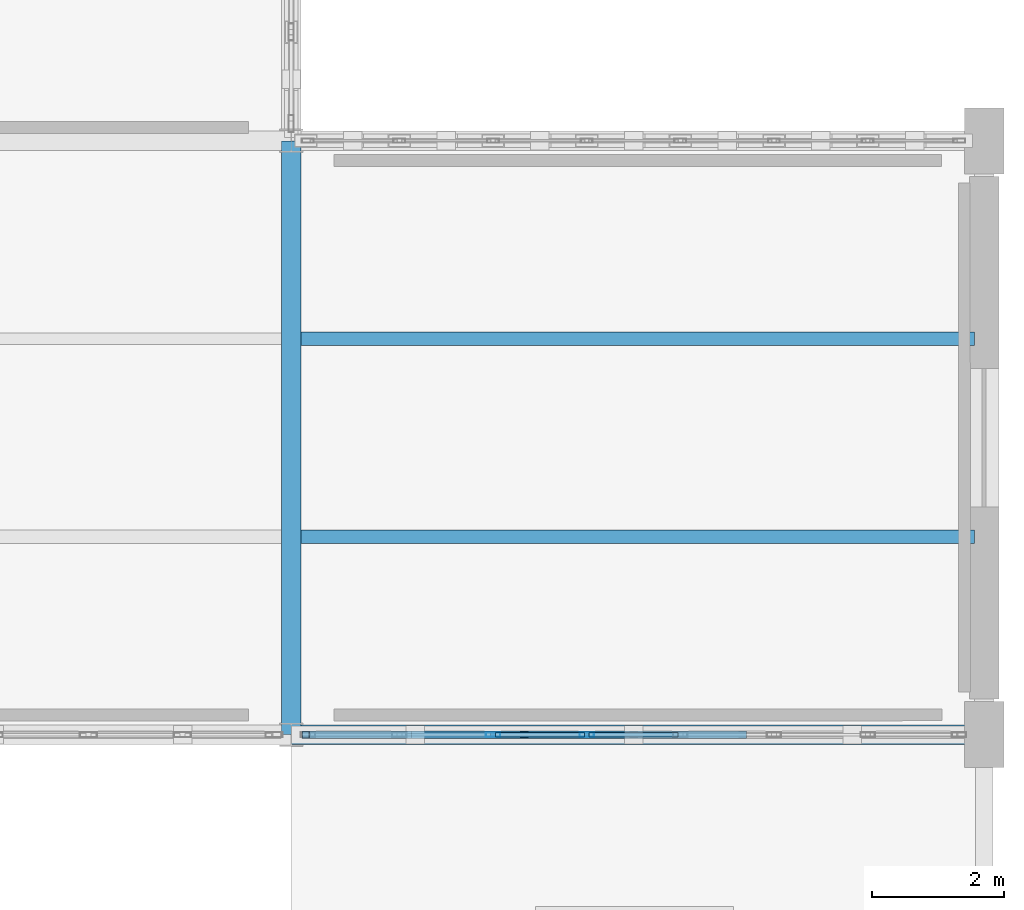
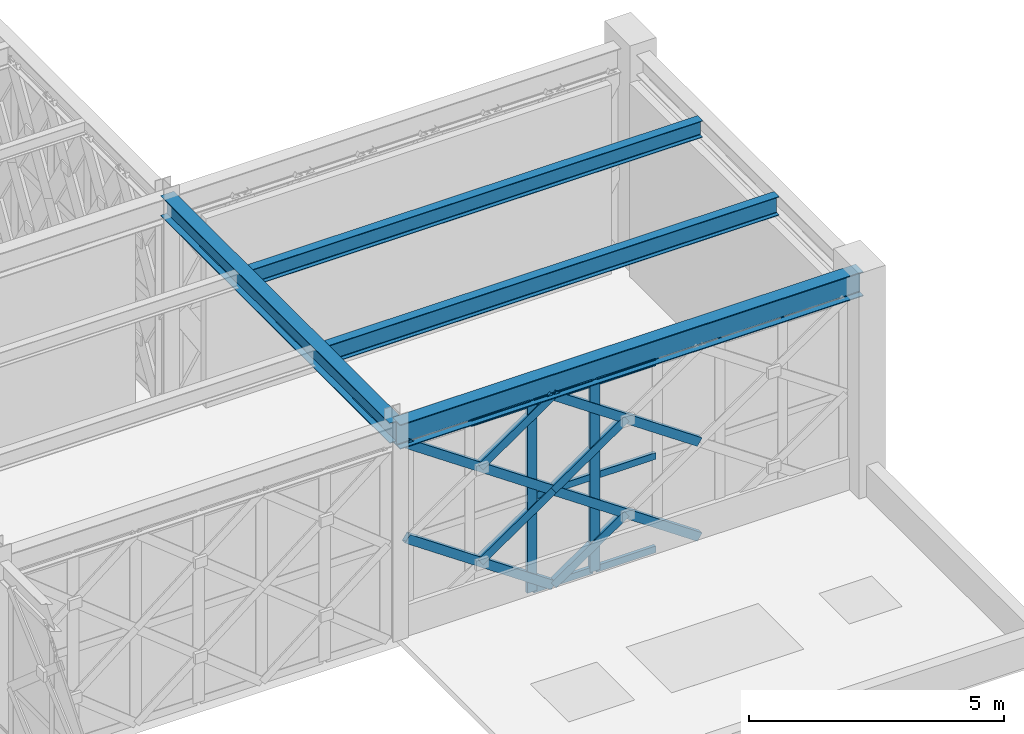
# One storey, part 114 of 166: 17 members, 4 beams, 1 element without a shape of its own.
"""IFC4 building model written with IfcOpenShell, lengths in metres."""

from ifc_helpers import new_model, si_unit, direction, frame, origin, origin_2d, place, context, subcontext, project, spatial, hollow_rectangle, i_section, extrude, material, material_profile, profile_set, type_object, element, aggregate, save


model = new_model("IFC4")

# Units and contexts
model_context = context("Model", 3, precision=1e-05, world=origin(), true_north=direction((0.0, 1.0)))
body_context = subcontext(model_context, "Body", "Model", "MODEL_VIEW")
ifc_project = project(units=[si_unit("LENGTHUNIT", "METRE"), si_unit("AREAUNIT", "SQUARE_METRE"), si_unit("VOLUMEUNIT", "CUBIC_METRE"), si_unit("PLANEANGLEUNIT", "RADIAN"), si_unit("MASSUNIT", "GRAM", prefix="KILO")], contexts=[model_context])

# Site, building, storey
site_placement = place(None, origin())
site = spatial("IfcSite", under=ifc_project, at=site_placement, CompositionType="ELEMENT")
building_placement = place(site_placement, origin())
building = spatial("IfcBuilding", under=site, at=building_placement, Name="Haizhuo Lancet Aquarium", CompositionType="ELEMENT")
storey_placement = place(building_placement, frame((0.0, 0.0, 5.39990234375)))
storey = spatial("IfcBuildingStorey", under=building, at=storey_placement, Name="L01", CompositionType="ELEMENT", Elevation=5.39990234375)

# Beams
ifc_material_1 = material(Name="Steel S355", Category="steel")
ifc_material_profile_1 = material_profile(ifc_material_1, i_section(OverallWidth=0.300048828125, OverallDepth=0.488037109375, WebThickness=0.010986328125, FlangeThickness=0.01806640625, FilletRadius=0.02392578125, at=origin_2d()), Name="HM 488x300x11x18")
ifc_profile_set_1 = profile_set([ifc_material_profile_1], Name="Steel S355")
beam_type_1 = type_object("IfcBeamType", Name="BM-ST-HM488", PredefinedType="BEAM", material=ifc_profile_set_1)
beam_1_placement = place(storey_placement, frame((72.0, 9.0, 4.89599609375), z_axis=(0.0, 1.0, 0.0), x_axis=(-1.0, 0.0, 0.0)))
element("IfcBeam", 1, at=beam_1_placement, inside=storey, type_object=beam_type_1, Name="L01 V7 primary girder BM-L01-V7-027", PredefinedType="BEAM", context=body_context, shape_type="SweptSolid", body=[
    extrude(i_section(OverallWidth=0.300048828125, OverallDepth=0.488037109375, WebThickness=0.010986328125, FlangeThickness=0.01806640625, FilletRadius=0.02392578125, at=origin_2d()), origin(), (0.0, 0.0, 1.0), 9.0),
])
ifc_material_profile_2 = material_profile(ifc_material_1, i_section(OverallWidth=0.300048828125, OverallDepth=0.587890625, WebThickness=0.011962890625, FlangeThickness=0.02001953125, FilletRadius=0.02587890625, at=origin_2d()), Name="HM 588x300x12x20")
ifc_profile_set_2 = profile_set([ifc_material_profile_2], Name="Steel S355")
beam_type_2 = type_object("IfcBeamType", Name="BM-ST-HM588", PredefinedType="BEAM", material=ifc_profile_set_2)
beam_2_placement = place(storey_placement, frame((72.0, 9.0, 4.84619140625), z_axis=(1.0, 0.0, 0.0), x_axis=(0.0, 1.0, 0.0)))
element("IfcBeam", 2, at=beam_2_placement, inside=storey, type_object=beam_type_2, Name="L01 V7 primary girder BM-L01-V7-028", PredefinedType="BEAM", context=body_context, shape_type="SweptSolid", body=[
    extrude(i_section(OverallWidth=0.300048828125, OverallDepth=0.587890625, WebThickness=0.011962890625, FlangeThickness=0.02001953125, FilletRadius=0.02587890625, at=origin_2d()), origin(), (0.0, 0.0, 1.0), 10.5),
])

# Curtain wall, members
ifc_material_2 = material(Name="Aluminium 6063-T6", Category="aluminium")
curtain_wall_type = type_object("IfcCurtainWallType", Name="CWO-9940x4550", PredefinedType="NOTDEFINED", material=ifc_material_2)
curtain_wall_placement = place(storey_placement, origin())
curtain_wall = element("IfcCurtainWall", 3, at=curtain_wall_placement, inside=storey, type_object=curtain_wall_type, Name="L01 curtain wall CW-V7-L01-290", PredefinedType="NOTDEFINED")
ifc_material_profile_3 = material_profile(ifc_material_2, hollow_rectangle(XDim=0.074951171875, YDim=0.219970703125, WallThickness=0.0048828125, at=origin_2d()), Name="ALU-M 75x220x5")
ifc_profile_set_3 = profile_set([ifc_material_profile_3], Name="Aluminium 6063-T6")
member_type_1 = type_object("IfcMemberType", Name="CW-MUL-2", PredefinedType="MULLION", material=ifc_profile_set_3)
member_1_placement = place(storey_placement, frame((76.47802734375, 9.0, 0.0), z_axis=(0.0, 0.0, 1.0), x_axis=(0.0, -1.0, 0.0)))
member_1 = element("IfcMember", 4, at=member_1_placement, type_object=member_type_1, Name="CWO-99x45 mullion 5", PredefinedType="MULLION", context=body_context, shape_type="SweptSolid", body=[
    extrude(hollow_rectangle(XDim=0.074951171875, YDim=0.219970703125, WallThickness=0.0048828125, at=origin_2d()), origin(), (0.0, 0.0, 1.0), 4.552001953125),
])
member_2_placement = place(storey_placement, frame((75.05908203125, 9.0, 0.0), z_axis=(0.0, 0.0, 1.0), x_axis=(0.0, -1.0, 0.0)))
member_2 = element("IfcMember", 5, at=member_2_placement, type_object=member_type_1, Name="CWO-99x45 mullion 6", PredefinedType="MULLION", context=body_context, shape_type="SweptSolid", body=[
    extrude(hollow_rectangle(XDim=0.074951171875, YDim=0.219970703125, WallThickness=0.0048828125, at=origin_2d()), origin(), (0.0, 0.0, 1.0), 4.552001953125),
])
ifc_material_profile_4 = material_profile(ifc_material_2, hollow_rectangle(XDim=0.074951171875, YDim=0.159912109375, WallThickness=0.00390625, at=origin_2d()), Name="ALU-T 75x160x4")
ifc_profile_set_4 = profile_set([ifc_material_profile_4], Name="Aluminium 6063-T6")
member_type_2 = type_object("IfcMemberType", Name="CW-TRN-2", PredefinedType="NOTDEFINED", material=ifc_profile_set_4)
member_3_placement = place(storey_placement, frame((77.860107421875, 9.0, 0.0380859375), z_axis=(-1.0, 0.0, 0.0), x_axis=(0.0, -1.0, 0.0)))
member_3 = element("IfcMember", 6, at=member_3_placement, type_object=member_type_2, Name="CWO-99x45 transom 4.1", ObjectType="TRANSOM", PredefinedType="USERDEFINED", context=body_context, shape_type="SweptSolid", body=[
    extrude(hollow_rectangle(XDim=0.074951171875, YDim=0.159912109375, WallThickness=0.00390625, at=origin_2d()), origin(), (0.0, 0.0, 1.0), 1.34521484375),
])
member_4_placement = place(storey_placement, frame((77.860107421875, 9.0, 2.276123046875), z_axis=(-1.0, 0.0, 0.0), x_axis=(0.0, -1.0, 0.0)))
member_4 = element("IfcMember", 7, at=member_4_placement, type_object=member_type_2, Name="CWO-99x45 transom 4.2", ObjectType="TRANSOM", PredefinedType="USERDEFINED", context=body_context, shape_type="SweptSolid", body=[
    extrude(hollow_rectangle(XDim=0.074951171875, YDim=0.159912109375, WallThickness=0.00390625, at=origin_2d()), origin(), (0.0, 0.0, 1.0), 1.34521484375),
])
member_5_placement = place(storey_placement, frame((77.860107421875, 9.0, 4.51513671875), z_axis=(-1.0, 0.0, 0.0), x_axis=(0.0, -1.0, 0.0)))
member_5 = element("IfcMember", 8, at=member_5_placement, type_object=member_type_2, Name="CWO-99x45 transom 4.3", ObjectType="TRANSOM", PredefinedType="USERDEFINED", context=body_context, shape_type="SweptSolid", body=[
    extrude(hollow_rectangle(XDim=0.074951171875, YDim=0.159912109375, WallThickness=0.00390625, at=origin_2d()), origin(), (0.0, 0.0, 1.0), 1.34521484375),
])
member_6_placement = place(storey_placement, frame((76.43994140625, 9.0, 0.0380859375), z_axis=(-1.0, 0.0, 0.0), x_axis=(0.0, -1.0, 0.0)))
member_6 = element("IfcMember", 9, at=member_6_placement, type_object=member_type_2, Name="CWO-99x45 transom 5.1", ObjectType="TRANSOM", PredefinedType="USERDEFINED", context=body_context, shape_type="SweptSolid", body=[
    extrude(hollow_rectangle(XDim=0.074951171875, YDim=0.159912109375, WallThickness=0.00390625, at=origin_2d()), origin(), (0.0, 0.0, 1.0), 1.343994140625),
])
member_7_placement = place(storey_placement, frame((76.43994140625, 9.0, 2.276123046875), z_axis=(-1.0, 0.0, 0.0), x_axis=(0.0, -1.0, 0.0)))
member_7 = element("IfcMember", 10, at=member_7_placement, type_object=member_type_2, Name="CWO-99x45 transom 5.2", ObjectType="TRANSOM", PredefinedType="USERDEFINED", context=body_context, shape_type="SweptSolid", body=[
    extrude(hollow_rectangle(XDim=0.074951171875, YDim=0.159912109375, WallThickness=0.00390625, at=origin_2d()), origin(), (0.0, 0.0, 1.0), 1.343994140625),
])
member_8_placement = place(storey_placement, frame((76.43994140625, 9.0, 4.51513671875), z_axis=(-1.0, 0.0, 0.0), x_axis=(0.0, -1.0, 0.0)))
member_8 = element("IfcMember", 11, at=member_8_placement, type_object=member_type_2, Name="CWO-99x45 transom 5.3", ObjectType="TRANSOM", PredefinedType="USERDEFINED", context=body_context, shape_type="SweptSolid", body=[
    extrude(hollow_rectangle(XDim=0.074951171875, YDim=0.159912109375, WallThickness=0.00390625, at=origin_2d()), origin(), (0.0, 0.0, 1.0), 1.343994140625),
])
member_9_placement = place(storey_placement, frame((75.02099609375, 9.0, 4.51513671875), z_axis=(-1.0, 0.0, 0.0), x_axis=(0.0, -1.0, 0.0)))
member_9 = element("IfcMember", 12, at=member_9_placement, type_object=member_type_2, Name="CWO-99x45 transom 6.3", ObjectType="TRANSOM", PredefinedType="USERDEFINED", context=body_context, shape_type="SweptSolid", body=[
    extrude(hollow_rectangle(XDim=0.074951171875, YDim=0.159912109375, WallThickness=0.00390625, at=origin_2d()), origin(), (0.0, 0.0, 1.0), 1.343994140625),
])
aggregate(curtain_wall, [member_1, member_2, member_3, member_4, member_5, member_6, member_7, member_8, member_9])

# Beams
ifc_material_profile_5 = material_profile(ifc_material_1, i_section(OverallWidth=0.199951171875, OverallDepth=0.39990234375, WebThickness=0.008056640625, FlangeThickness=0.012939453125, FilletRadius=0.01611328125, at=origin_2d()), Name="HN 400x200x8x13")
ifc_profile_set_5 = profile_set([ifc_material_profile_5], Name="Steel S355")
beam_type_3 = type_object("IfcBeamType", Name="JST-ST-HN400", PredefinedType="JOIST", material=ifc_profile_set_5)
beam_3_placement = place(storey_placement, frame((72.14990234375, 15.0, 4.940185546875), z_axis=(1.0, 0.0, 0.0), x_axis=(0.0, 1.0, 0.0)))
element("IfcBeam", 13, at=beam_3_placement, inside=storey, type_object=beam_type_3, Name="L01 V7 secondary floor joist 20", PredefinedType="JOIST", context=body_context, shape_type="SweptSolid", body=[
    extrude(i_section(OverallWidth=0.199951171875, OverallDepth=0.39990234375, WebThickness=0.008056640625, FlangeThickness=0.012939453125, FilletRadius=0.01611328125, at=origin_2d()), origin(), (0.0, 0.0, 1.0), 10.2001953125),
])
ifc_material_profile_6 = material_profile(ifc_material_1, i_section(OverallWidth=0.199951171875, OverallDepth=0.449951171875, WebThickness=0.009033203125, FlangeThickness=0.013916015625, FilletRadius=0.01806640625, at=origin_2d()), Name="HN 450x200x9x14")
ifc_profile_set_6 = profile_set([ifc_material_profile_6], Name="Steel S355")
beam_type_4 = type_object("IfcBeamType", Name="JST-ST-HN450", PredefinedType="JOIST", material=ifc_profile_set_6)
beam_4_placement = place(storey_placement, frame((72.14990234375, 12.0, 4.9150390625), z_axis=(1.0, 0.0, 0.0), x_axis=(0.0, 1.0, 0.0)))
element("IfcBeam", 14, at=beam_4_placement, inside=storey, type_object=beam_type_4, Name="L01 V7 secondary floor joist 19", PredefinedType="JOIST", context=body_context, shape_type="SweptSolid", body=[
    extrude(i_section(OverallWidth=0.199951171875, OverallDepth=0.449951171875, WebThickness=0.009033203125, FlangeThickness=0.013916015625, FilletRadius=0.01806640625, at=origin_2d()), origin(), (0.0, 0.0, 1.0), 10.2001953125),
])

# Members
ifc_material_profile_7 = material_profile(ifc_material_1, hollow_rectangle(XDim=0.1201171875, YDim=0.199951171875, WallThickness=0.008056640625, at=origin_2d()), Name="RHS 120x200x8")
ifc_profile_set_7 = profile_set([ifc_material_profile_7], Name="Steel S355")
member_type_3 = type_object("IfcMemberType", Name="MEM-LB-RHS120x200", PredefinedType="BRACE", material=ifc_profile_set_7)
member_10_placement = place(storey_placement, frame((78.843017578125, 9.0, 0.0), z_axis=(-0.824066744337, 0.0, 0.566492719175), x_axis=(0.0, -1.0, 0.0)))
element("IfcMember", 15, at=member_10_placement, inside=storey, type_object=member_type_3, Name="Gothic lancet continuous diagonal brace CW-V7-L01-290 3A", PredefinedType="BRACE", context=body_context, shape_type="SweptSolid", body=[
    extrude(hollow_rectangle(XDim=0.1201171875, YDim=0.199951171875, WallThickness=0.008056640625, at=origin_2d()), origin(), (0.0, 0.0, 1.0), 4.017822265625),
])
member_11_placement = place(storey_placement, frame((75.531982421875, 9.0, 0.0), z_axis=(0.824116362396, 0.0, 0.566420533907), x_axis=(0.0, 1.0, 0.0)))
element("IfcMember", 16, at=member_11_placement, inside=storey, type_object=member_type_3, Name="Gothic lancet split diagonal brace CW-V7-L01-290 3B1", PredefinedType="BRACE", context=body_context, shape_type="SweptSolid", body=[
    extrude(hollow_rectangle(XDim=0.1201171875, YDim=0.199951171875, WallThickness=0.008056640625, at=origin_2d()), origin(), (0.0, 0.0, 1.0), 2.009521484375),
])
member_12_placement = place(storey_placement, frame((78.843017578125, 9.0, 2.276123046875), z_axis=(-0.824095110102, 0.0, 0.566451453795), x_axis=(0.0, -1.0, 0.0)))
element("IfcMember", 17, at=member_12_placement, inside=storey, type_object=member_type_3, Name="Gothic lancet continuous diagonal brace CW-V7-L01-290 4A", PredefinedType="BRACE", context=body_context, shape_type="SweptSolid", body=[
    extrude(hollow_rectangle(XDim=0.1201171875, YDim=0.199951171875, WallThickness=0.008056640625, at=origin_2d()), origin(), (0.0, 0.0, 1.0), 4.017822265625),
])
member_13_placement = place(storey_placement, frame((75.531982421875, 9.0, 2.276123046875), z_axis=(0.824173076685, 0.0, 0.566338008319), x_axis=(0.0, 1.0, 0.0)))
element("IfcMember", 18, at=member_13_placement, inside=storey, type_object=member_type_3, Name="Gothic lancet split diagonal brace CW-V7-L01-290 4B1", PredefinedType="BRACE", context=body_context, shape_type="SweptSolid", body=[
    extrude(hollow_rectangle(XDim=0.1201171875, YDim=0.199951171875, WallThickness=0.008056640625, at=origin_2d()), origin(), (0.0, 0.0, 1.0), 2.00927734375),
])
member_14_placement = place(storey_placement, frame((75.531982421875, 9.0, 0.0), z_axis=(-0.824144719598, 0.0, 0.566379273243), x_axis=(0.0, -1.0, 0.0)))
element("IfcMember", 19, at=member_14_placement, inside=storey, type_object=member_type_3, Name="Gothic lancet continuous diagonal brace CW-V7-L01-290 5A", PredefinedType="BRACE", context=body_context, shape_type="SweptSolid", body=[
    extrude(hollow_rectangle(XDim=0.1201171875, YDim=0.199951171875, WallThickness=0.008056640625, at=origin_2d()), origin(), (0.0, 0.0, 1.0), 4.018798828125),
])
member_15_placement = place(storey_placement, frame((73.8759765625, 9.0, 1.13818359375), z_axis=(0.824173076685, 0.0, 0.566338008319), x_axis=(0.0, 1.0, 0.0)))
element("IfcMember", 20, at=member_15_placement, inside=storey, type_object=member_type_3, Name="Gothic lancet split diagonal brace CW-V7-L01-290 5B2", PredefinedType="BRACE", context=body_context, shape_type="SweptSolid", body=[
    extrude(hollow_rectangle(XDim=0.1201171875, YDim=0.199951171875, WallThickness=0.008056640625, at=origin_2d()), origin(), (0.0, 0.0, 1.0), 2.00927734375),
])
member_16_placement = place(storey_placement, frame((75.531982421875, 9.0, 2.276123046875), z_axis=(-0.824173076685, 0.0, 0.566338008319), x_axis=(0.0, -1.0, 0.0)))
element("IfcMember", 21, at=member_16_placement, inside=storey, type_object=member_type_3, Name="Gothic lancet continuous diagonal brace CW-V7-L01-290 6A", PredefinedType="BRACE", context=body_context, shape_type="SweptSolid", body=[
    extrude(hollow_rectangle(XDim=0.1201171875, YDim=0.199951171875, WallThickness=0.008056640625, at=origin_2d()), origin(), (0.0, 0.0, 1.0), 4.0185546875),
])
member_17_placement = place(storey_placement, frame((73.8759765625, 9.0, 3.4140625), z_axis=(0.824173076685, 0.0, 0.566338008319), x_axis=(0.0, 1.0, 0.0)))
element("IfcMember", 22, at=member_17_placement, inside=storey, type_object=member_type_3, Name="Gothic lancet split diagonal brace CW-V7-L01-290 6B2", PredefinedType="BRACE", context=body_context, shape_type="SweptSolid", body=[
    extrude(hollow_rectangle(XDim=0.1201171875, YDim=0.199951171875, WallThickness=0.008056640625, at=origin_2d()), origin(), (0.0, 0.0, 1.0), 2.00927734375),
])

save(model, "model.ifc")
